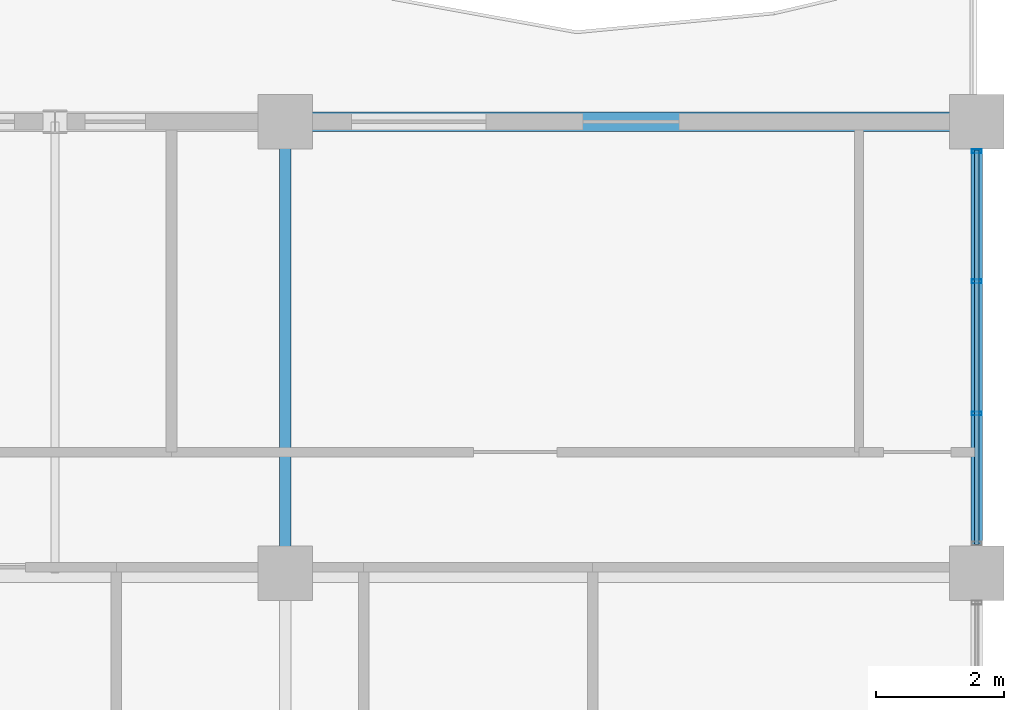
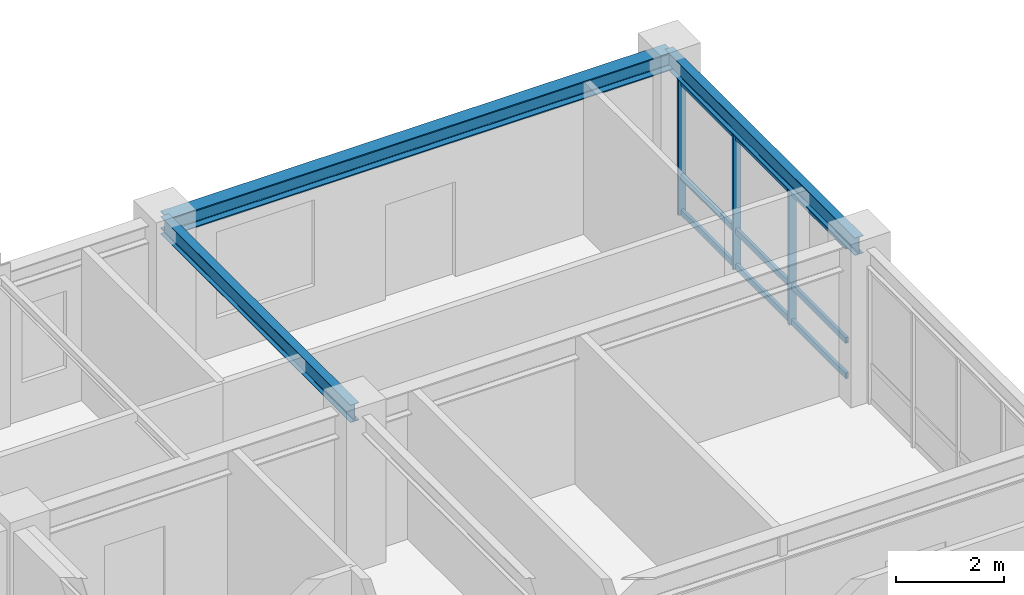
# One storey, part 4 of 11: 6 members, 3 beams, 1 element without a shape of its own.
"""IFC4 building model written with IfcOpenShell, lengths in metres."""

from ifc_helpers import new_model, si_unit, direction, frame, origin, origin_2d, place, context, subcontext, project, spatial, hollow_rectangle, i_section, extrude, source, transform, mapped, material, layer, layer_set, material_profile, profile_set, type_object, element, aggregate, save


model = new_model("IFC4")

# Units and contexts
model_context = context("Model", 3, precision=1e-05, world=origin(), true_north=direction((0.0, 1.0)))
body_context = subcontext(model_context, "Body", "Model", "MODEL_VIEW")
ifc_project = project(units=[si_unit("LENGTHUNIT", "METRE"), si_unit("AREAUNIT", "SQUARE_METRE"), si_unit("VOLUMEUNIT", "CUBIC_METRE"), si_unit("PLANEANGLEUNIT", "RADIAN"), si_unit("MASSUNIT", "GRAM", prefix="KILO")], contexts=[model_context])

# Site, building, storey
site_placement = place(None, origin())
site = spatial("IfcSite", under=ifc_project, at=site_placement, CompositionType="ELEMENT")
building_placement = place(site_placement, origin())
building = spatial("IfcBuilding", under=site, at=building_placement, Name="Kaliganga Portal Commons", CompositionType="ELEMENT")
storey_placement = place(building_placement, frame((0.0, 0.0, 272.10009765625)))
storey = spatial("IfcBuildingStorey", under=building, at=storey_placement, Name="L70", CompositionType="ELEMENT", Elevation=272.10009765625)

# Beams
ifc_material_1 = material(Name="Structural steel S355J2", Category="steel")
ifc_material_profile_1 = material_profile(ifc_material_1, i_section(OverallWidth=0.300048828125, OverallDepth=0.39990234375, WebThickness=0.013427734375, FlangeThickness=0.02392578125, FilletRadius=0.027099609375, at=origin_2d()), Name="HE 400 B")
ifc_profile_set_1 = profile_set([ifc_material_profile_1], Name="Structural steel S355J2 wide-flange")
beam_type_1 = type_object("IfcBeamType", Name="BM-SPAND-400", PredefinedType="SPANDREL", material=ifc_profile_set_1)
shared_shape_1 = source(origin(), body_context, "Body", "SweptSolid", [
    extrude(i_section(OverallWidth=0.300048828125, OverallDepth=0.39990234375, WebThickness=0.013427734375, FlangeThickness=0.02392578125, FilletRadius=0.027099609375, at=origin_2d()), origin(), (0.0, 0.0, 1.0), 10.800048828125),
])
beam_placement = place(storey_placement, frame((36.0, 43.199951171875, 3.27490234375), z_axis=(1.0, 0.0, 0.0), x_axis=(0.0, 1.0, 0.0)))
element("IfcBeam", 1, at=beam_placement, inside=storey, type_object=beam_type_1, Name="BM SP L70 AN 7", PredefinedType="SPANDREL", context=body_context, shape_type="MappedRepresentation", body=[
    mapped(shared_shape_1, transform((0.0, 0.0, 0.0), x_axis=(1.0, 0.0, 0.0), y_axis=(0.0, 1.0, 0.0), z_axis=(0.0, 0.0, 1.0), scale=1.0)),
])
ifc_material_profile_2 = material_profile(ifc_material_1, i_section(OverallWidth=0.179931640625, OverallDepth=0.39990234375, WebThickness=0.008544921875, FlangeThickness=0.013427734375, FilletRadius=0.02099609375, at=origin_2d()), Name="IPE 400")
ifc_profile_set_2 = profile_set([ifc_material_profile_2], Name="Structural steel S355J2 wide-flange")
beam_type_2 = type_object("IfcBeamType", Name="BM-FLR-400", PredefinedType="BEAM", material=ifc_profile_set_2)
shared_shape_2 = source(origin(), body_context, "Body", "SweptSolid", [
    extrude(i_section(OverallWidth=0.179931640625, OverallDepth=0.39990234375, WebThickness=0.008544921875, FlangeThickness=0.013427734375, FilletRadius=0.02099609375, at=origin_2d()), origin(), (0.0, 0.0, 1.0), 7.050048828125),
])
for number, where, z_axis, x_axis, name in (
    (2, (36.0, 36.14990234375, 3.27490234375), (0.0, 1.0, 0.0), (-1.0, 0.0, 0.0), "BM G L70 AN360"),
    (3, (46.800048828125, 36.14990234375, 3.27490234375), (0.0, 1.0, 0.0), (-1.0, 0.0, 0.0), "BM G L70 AN468"),
):
    element("IfcBeam", number, at=place(storey_placement, frame(where, z_axis=z_axis, x_axis=x_axis)), inside=storey, type_object=beam_type_2, Name=name, PredefinedType="BEAM", context=body_context, shape_type="MappedRepresentation", body=[
        mapped(shared_shape_2, transform((0.0, 0.0, 0.0), x_axis=(1.0, 0.0, 0.0), y_axis=(0.0, 1.0, 0.0), z_axis=(0.0, 0.0, 1.0), scale=1.0)),
    ])

# Curtain wall, members
ifc_material_2 = material(Name="Anodized Aluminium and Laminated Low-E Glass", Category="aluminium")
ifc_layer = layer(ifc_material_2, 0.18994140625)
ifc_layer_set = layer_set([ifc_layer], Name="Anodized Aluminium and Laminated Low-E Glass")
curtain_wall_type = type_object("IfcCurtainWallType", Name="CW-SYS-05", PredefinedType="NOTDEFINED", material=ifc_layer_set)
curtain_wall_placement = place(storey_placement, origin())
curtain_wall = element("IfcCurtainWall", 4, at=curtain_wall_placement, inside=storey, type_object=curtain_wall_type, Name="CW 05 L70 P1E01S3", PredefinedType="NOTDEFINED")
ifc_material_3 = material(Name="Dark Bronze Anodized Aluminium", Category="aluminium")
ifc_material_profile_3 = material_profile(ifc_material_3, hollow_rectangle(XDim=0.06005859375, YDim=0.159912109375, WallThickness=0.00341796875, at=origin_2d()), Name="ALU MULL 60x160x3.5")
ifc_profile_set_3 = profile_set([ifc_material_profile_3], Name="Dark Bronze Anodized Aluminium")
member_type_1 = type_object("IfcMemberType", Name="CW-MUL-160", PredefinedType="MULLION", material=ifc_profile_set_3)
shared_shape_3 = source(origin(), body_context, "Body", "SweptSolid", [
    extrude(hollow_rectangle(XDim=0.06005859375, YDim=0.159912109375, WallThickness=0.00341796875, at=origin_2d()), origin(), (0.0, 0.0, 1.0), 3.074951171875),
])
member_1_placement = place(storey_placement, frame((46.800048828125, 38.64208984375, 0.0), z_axis=(0.0, 0.0, 1.0), x_axis=(0.0, 1.0, 0.0)))
member_1 = element("IfcMember", 5, at=member_1_placement, type_object=member_type_1, Name="CW:05:L70:P1E01S3 Mullion 01", PredefinedType="MULLION", context=body_context, shape_type="MappedRepresentation", body=[
    mapped(shared_shape_3, transform((0.0, 0.0, 0.0), x_axis=(1.0, 0.0, 0.0), y_axis=(0.0, 1.0, 0.0), z_axis=(0.0, 0.0, 1.0), scale=1.0)),
])
member_2_placement = place(storey_placement, frame((46.800048828125, 40.7080078125, 0.0), z_axis=(0.0, 0.0, 1.0), x_axis=(0.0, 1.0, 0.0)))
member_2 = element("IfcMember", 6, at=member_2_placement, type_object=member_type_1, Name="CW:05:L70:P1E01S3 Mullion 02", PredefinedType="MULLION", context=body_context, shape_type="MappedRepresentation", body=[
    mapped(shared_shape_3, transform((0.0, 0.0, 0.0), x_axis=(1.0, 0.0, 0.0), y_axis=(0.0, 1.0, 0.0), z_axis=(0.0, 0.0, 1.0), scale=1.0)),
])
member_3_placement = place(storey_placement, frame((46.800048828125, 42.739013671875, 0.0), z_axis=(0.0, 0.0, 1.0), x_axis=(0.0, 1.0, 0.0)))
member_3 = element("IfcMember", 7, at=member_3_placement, type_object=member_type_1, Name="CW:05:L70:P1E01S3 Mullion 03", PredefinedType="MULLION", context=body_context, shape_type="MappedRepresentation", body=[
    mapped(shared_shape_3, transform((0.0, 0.0, 0.0), x_axis=(1.0, 0.0, 0.0), y_axis=(0.0, 1.0, 0.0), z_axis=(0.0, 0.0, 1.0), scale=1.0)),
])
ifc_material_profile_4 = material_profile(ifc_material_3, hollow_rectangle(XDim=0.06494140625, YDim=0.135009765625, WallThickness=0.00341796875, at=origin_2d()), Name="ALU TRAN 65x135x3.5")
ifc_profile_set_4 = profile_set([ifc_material_profile_4], Name="Dark Bronze Anodized Aluminium")
member_type_2 = type_object("IfcMemberType", Name="CW-TRN-135", PredefinedType="USERDEFINED", material=ifc_profile_set_4)
shared_shape_4 = source(origin(), body_context, "Body", "SweptSolid", [
    extrude(hollow_rectangle(XDim=0.06494140625, YDim=0.135009765625, WallThickness=0.00341796875, at=origin_2d()), origin(), (0.0, 0.0, 1.0), 6.157958984375),
])
member_4_placement = place(storey_placement, frame((46.800048828125, 36.595947265625, 0.059814453125), z_axis=(0.0, 1.0, 0.0), x_axis=(-1.0, 0.0, 0.0)))
member_4 = element("IfcMember", 8, at=member_4_placement, type_object=member_type_2, Name="CW:05:L70:P1E01S3 Transom 1", ObjectType="TRANSOM", PredefinedType="USERDEFINED", context=body_context, shape_type="MappedRepresentation", body=[
    mapped(shared_shape_4, transform((0.0, 0.0, 0.0), x_axis=(1.0, 0.0, 0.0), y_axis=(0.0, 1.0, 0.0), z_axis=(0.0, 0.0, 1.0), scale=1.0)),
])
member_5_placement = place(storey_placement, frame((46.800048828125, 36.595947265625, 0.86083984375), z_axis=(0.0, 1.0, 0.0), x_axis=(-1.0, 0.0, 0.0)))
member_5 = element("IfcMember", 9, at=member_5_placement, type_object=member_type_2, Name="CW:05:L70:P1E01S3 Transom 2", ObjectType="TRANSOM", PredefinedType="USERDEFINED", context=body_context, shape_type="MappedRepresentation", body=[
    mapped(shared_shape_4, transform((0.0, 0.0, 0.0), x_axis=(1.0, 0.0, 0.0), y_axis=(0.0, 1.0, 0.0), z_axis=(0.0, 0.0, 1.0), scale=1.0)),
])
member_6_placement = place(storey_placement, frame((46.800048828125, 36.595947265625, 2.994873046875), z_axis=(0.0, 1.0, 0.0), x_axis=(-1.0, 0.0, 0.0)))
member_6 = element("IfcMember", 10, at=member_6_placement, type_object=member_type_2, Name="CW:05:L70:P1E01S3 Transom 3", ObjectType="TRANSOM", PredefinedType="USERDEFINED", context=body_context, shape_type="MappedRepresentation", body=[
    mapped(shared_shape_4, transform((0.0, 0.0, 0.0), x_axis=(1.0, 0.0, 0.0), y_axis=(0.0, 1.0, 0.0), z_axis=(0.0, 0.0, 1.0), scale=1.0)),
])
aggregate(curtain_wall, [member_1, member_2, member_3, member_4, member_5, member_6])

save(model, "model.ifc")
